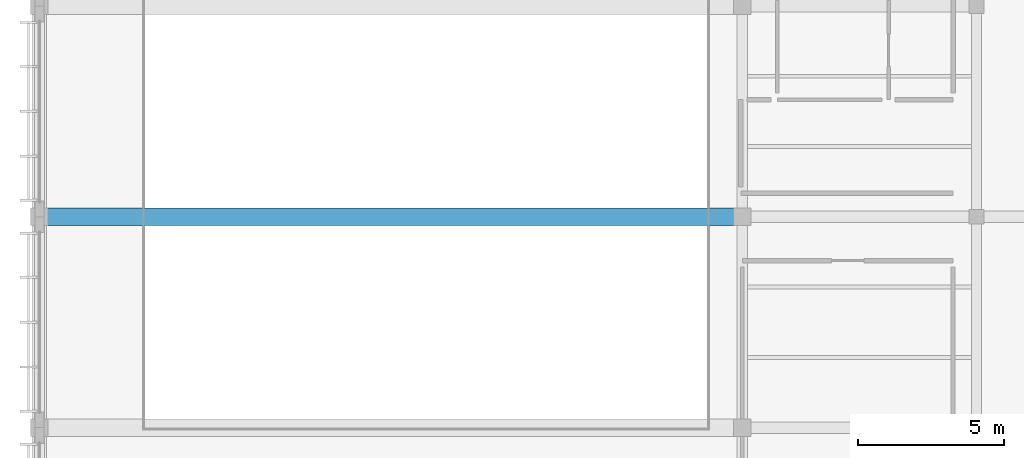
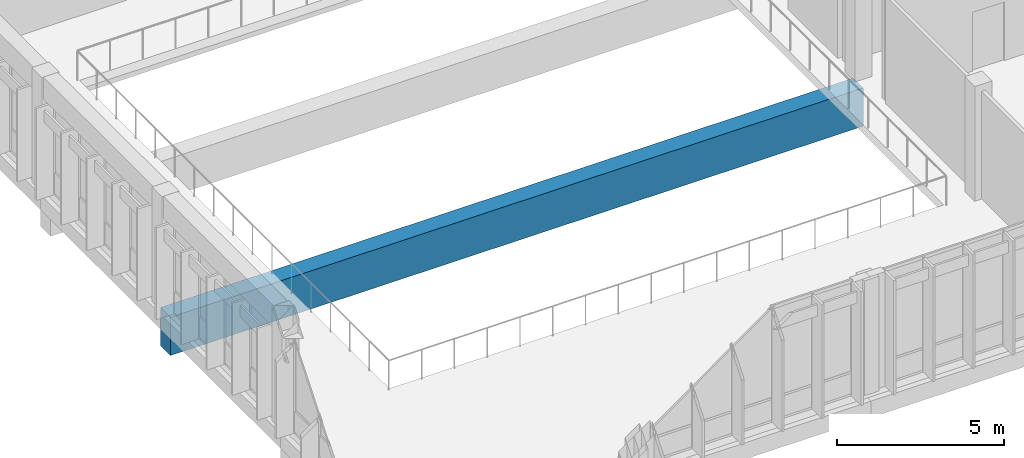
# One storey, part 16 of 182: 1 beam.
"""IFC4 building model written with IfcOpenShell, lengths in metres."""

from ifc_helpers import new_model, si_unit, direction, frame, origin, origin_2d, place, context, subcontext, project, spatial, rectangle, extrude, material, material_profile, profile_set, type_object, element, save


model = new_model("IFC4")

# Units and contexts
model_context = context("Model", 3, precision=1e-05, world=origin(), true_north=direction((0.0, 1.0)))
body_context = subcontext(model_context, "Body", "Model", "MODEL_VIEW")
ifc_project = project(units=[si_unit("LENGTHUNIT", "METRE"), si_unit("AREAUNIT", "SQUARE_METRE"), si_unit("VOLUMEUNIT", "CUBIC_METRE"), si_unit("PLANEANGLEUNIT", "RADIAN"), si_unit("MASSUNIT", "GRAM", prefix="KILO")], contexts=[model_context])

# Site, building, storey
site_placement = place(None, origin())
site = spatial("IfcSite", under=ifc_project, at=site_placement, CompositionType="ELEMENT")
building_placement = place(site_placement, origin())
building = spatial("IfcBuilding", under=site, at=building_placement, Name="Chiffa Square Polytechnic", CompositionType="ELEMENT")
storey_placement = place(building_placement, frame((0.0, 0.0, 9.60009765625)))
storey = spatial("IfcBuildingStorey", under=building, at=storey_placement, Name="L02", CompositionType="ELEMENT", Elevation=9.60009765625)

# Beam
ifc_material = material(Name="Concrete C40/50", Category="concrete")
ifc_material_profile = material_profile(ifc_material, rectangle(XDim=0.60009765625, YDim=1.39990234375, at=origin_2d()), Name="RC 600x1400")
ifc_profile_set = profile_set([ifc_material_profile], Name="Concrete C40/50")
beam_type = type_object("IfcBeamType", Name="BM-RC-600X1400", PredefinedType="BEAM", material=ifc_profile_set)
beam_placement = place(storey_placement, frame((0.0, 14.39990234375, -1.02001953125), z_axis=(1.0, 0.0, 0.0), x_axis=(0.0, 1.0, 0.0)))
element("IfcBeam", 1, at=beam_placement, inside=storey, type_object=beam_type, Name="Primary floor girder BM-V3-L02-X-0000-0144", PredefinedType="BEAM", context=body_context, shape_type="SweptSolid", body=[
    extrude(rectangle(XDim=0.60009765625, YDim=1.39990234375, at=origin_2d()), origin(), (0.0, 0.0, 1.0), 24.0),
])

save(model, "model.ifc")
